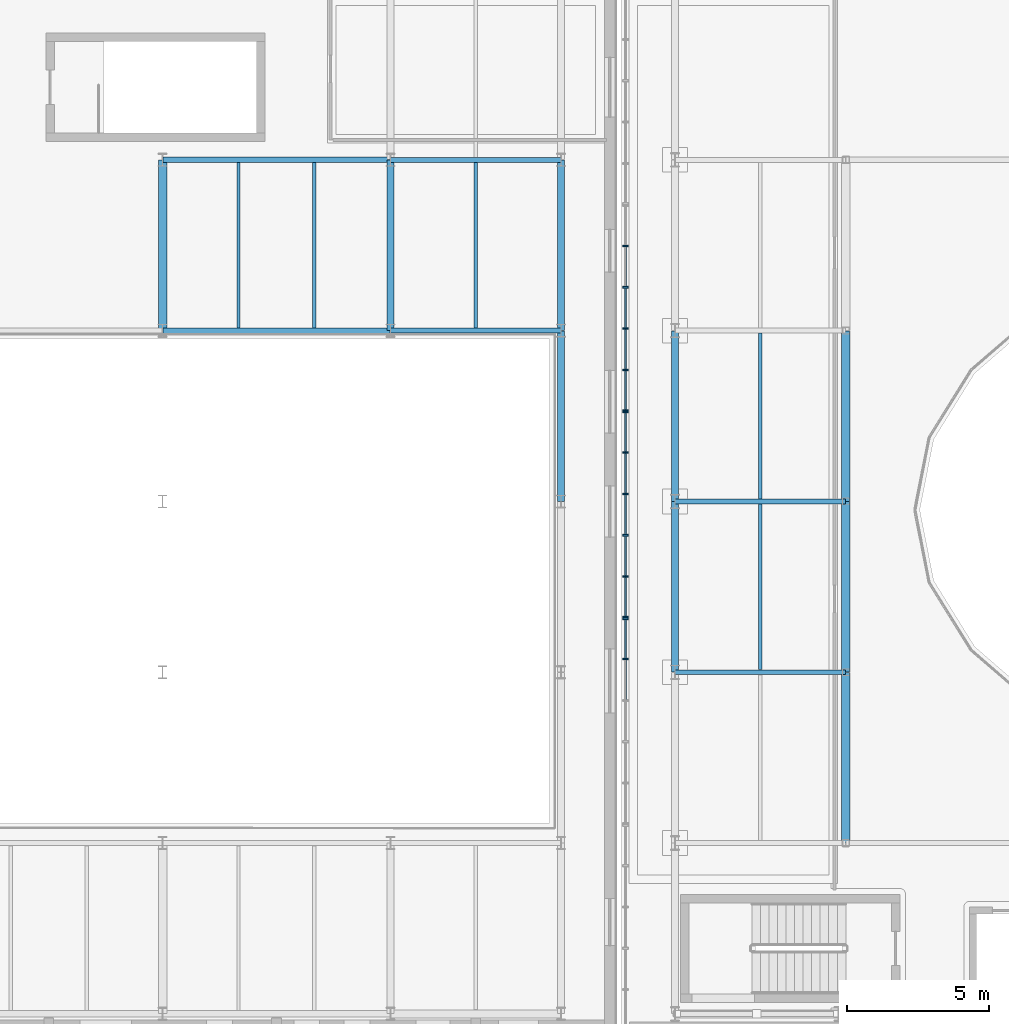
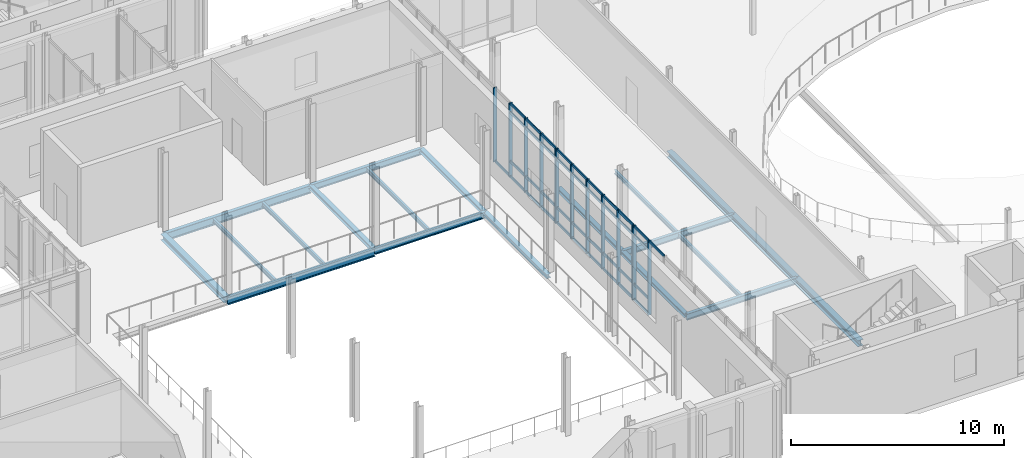
# One storey, part 18 of 100: 51 members, 20 beams, 3 elements without a shape of their own.
"""IFC4 building model written with IfcOpenShell, lengths in metres."""

import ifcopenshell
import ifcopenshell.guid

model = None  # the IFC model being written
_history = None  # IfcOwnerHistory: only IFC2X3 demands one
_inside = {}  # id of a spatial element -> (the spatial element, [elements in it])
_under = {}  # id of a project, library or spatial element -> (it, [spatial elements below it])
_declared = {}  # id of a project -> (the project, [libraries it declares])
_typed = {}  # id of a type object -> (the type object, [elements of that type])
_made_of = {}  # id of a material, layer set ... -> (it, [elements and type objects made of it])


def new_model(schema):
    """Start an empty IFC model of exactly this schema.

    Asked for "IFC4X3", IfcOpenShell would pick the latest addendum, in which some entities
    have other attributes; the version numbers below select the first issue.
    IFC2X3 requires an IfcOwnerHistory on every rooted entity: one is made here for all.
    """
    global model, _history
    if schema == "IFC4X3":
        model = ifcopenshell.file(schema_version=(4, 3, 0, 0))
    else:
        model = ifcopenshell.file(schema=schema)
    _inside.clear()
    _under.clear()
    _declared.clear()
    _typed.clear()
    _made_of.clear()
    _history = None
    if model.schema == "IFC2X3":
        org = make("IfcOrganization", Name="unknown")
        user = make(
            "IfcPersonAndOrganization",
            ThePerson=make("IfcPerson", FamilyName="unknown"),
            TheOrganization=org,
        )
        app = make(
            "IfcApplication",
            ApplicationDeveloper=org,
            Version="unknown",
            ApplicationFullName="unknown",
            ApplicationIdentifier="unknown",
        )
        _history = make(
            "IfcOwnerHistory",
            OwningUser=user,
            OwningApplication=app,
            ChangeAction="ADDED",
            CreationDate=0,
        )
    return model


def make(cls, **values):
    """One entity of the class cls with the attributes given. An attribute that is None is left unset."""
    return model.create_entity(
        cls, **{name: value for name, value in values.items() if value is not None}
    )


def rooted(cls, **values):
    """An entity with a GlobalId (a new one), such as an element, a storey or a relation."""
    return make(cls, GlobalId=ifcopenshell.guid.new(), OwnerHistory=_history, **values)


def si_unit(unit_type, name, prefix=None):
    """IfcSIUnit, for example si_unit("LENGTHUNIT", "METRE", prefix="MILLI")."""
    return make("IfcSIUnit", UnitType=unit_type, Prefix=prefix, Name=name)


def assignment(units):
    """IfcUnitAssignment: the units of a project."""
    return None if units is None else make("IfcUnitAssignment", Units=units)


def point(xyz):
    """IfcCartesianPoint."""
    return None if xyz is None else make("IfcCartesianPoint", Coordinates=xyz)


def direction(xyz):
    """IfcDirection."""
    return None if xyz is None else make("IfcDirection", DirectionRatios=xyz)


def frame(location, z_axis=None, x_axis=None):
    """IfcAxis2Placement3D, a coordinate frame: its origin and axes. An axis left out is left unset."""
    return make(
        "IfcAxis2Placement3D",
        Location=point(location),
        Axis=direction(z_axis),
        RefDirection=direction(x_axis),
    )


def frame_2d(location, x_axis=None):
    """IfcAxis2Placement2D, a coordinate frame in the plane: its origin and x axis."""
    return make(
        "IfcAxis2Placement2D", Location=point(location), RefDirection=direction(x_axis)
    )


def origin():
    """The frame at (0, 0, 0) with its axes left unset."""
    return frame((0.0, 0.0, 0.0))


def origin_2d():
    """The frame at (0, 0) in the plane with its x axis left unset."""
    return frame_2d((0.0, 0.0))


def place(relative_to, where):
    """IfcLocalPlacement: puts the frame where relative to a parent placement (None: the world)."""
    return make(
        "IfcLocalPlacement", PlacementRelTo=relative_to, RelativePlacement=where
    )


def context(
    kind, dimensions, precision=None, world=None, true_north=None, identifier=None
):
    """IfcGeometricRepresentationContext, for example the 3D "Model" context."""
    return make(
        "IfcGeometricRepresentationContext",
        ContextIdentifier=identifier,
        ContextType=kind,
        CoordinateSpaceDimension=dimensions,
        Precision=precision,
        WorldCoordinateSystem=world,
        TrueNorth=true_north,
    )


def subcontext(parent, identifier, kind, view, scale=None):
    """IfcGeometricRepresentationSubContext, for example "Body" below "Model"."""
    return make(
        "IfcGeometricRepresentationSubContext",
        ContextIdentifier=identifier,
        ContextType=kind,
        ParentContext=parent,
        TargetScale=scale,
        TargetView=view,
    )


def project(units=None, contexts=None):
    """IfcProject with its units and contexts."""
    return rooted(
        "IfcProject",
        Name="project",
        RepresentationContexts=contexts,
        UnitsInContext=assignment(units),
    )


def spatial(cls, under=None, at=None, **own):
    """A site, building, storey or space (cls), placed at a placement, below another one or the project."""
    s = rooted(cls, ObjectPlacement=at, **own)
    if under is not None:
        _under.setdefault(under.id(), (under, []))[1].append(s)
    return s


def profile(cls, at=None, kind="AREA", **sizes):
    """A parametric profile (cls). Its sizes go by their IFC names, for example OverallWidth=200.0."""
    return make(cls, ProfileType=kind, Position=at, **sizes)


def rectangle(**sizes):
    """IfcRectangleProfileDef."""
    return profile("IfcRectangleProfileDef", **sizes)


def i_section(**sizes):
    """IfcIShapeProfileDef."""
    return profile("IfcIShapeProfileDef", **sizes)


def extrude(swept, where, along, depth):
    """IfcExtrudedAreaSolid: the profile swept, set in the frame where, extruded along a direction by depth."""
    return make(
        "IfcExtrudedAreaSolid",
        SweptArea=swept,
        Position=where,
        ExtrudedDirection=direction(along),
        Depth=depth,
    )


def shape(context_of_items, identifier, shape_type, items):
    """IfcShapeRepresentation: the items that make up one representation, for example the "Body"."""
    return make(
        "IfcShapeRepresentation",
        ContextOfItems=context_of_items,
        RepresentationIdentifier=identifier,
        RepresentationType=shape_type,
        Items=items,
    )


def material(Name=None, Category=None):
    """IfcMaterial."""
    return make("IfcMaterial", Name=Name, Category=Category)


def material_profile(
    of_material, cross_section, Name=None, Category=None, Priority=None
):
    """IfcMaterialProfile: a cross section and its material."""
    return make(
        "IfcMaterialProfile",
        Name=Name,
        Material=of_material,
        Profile=cross_section,
        Priority=Priority,
        Category=Category,
    )


def profile_set(profiles, Name=None, composite=None):
    """IfcMaterialProfileSet."""
    return make(
        "IfcMaterialProfileSet",
        Name=Name,
        MaterialProfiles=profiles,
        CompositeProfile=composite,
    )


def made_of(thing, what):
    """Note that an element or type object is made of a material, layer set ...; save() writes the relation."""
    if what is not None:
        _made_of.setdefault(what.id(), (what, []))[1].append(thing)
    return thing


def type_object(cls, material=None, **own):
    """A type object (cls), such as IfcWallType, which elements share."""
    return made_of(rooted(cls, **own), material)


def element(
    cls,
    number,
    at=None,
    inside=None,
    cuts=None,
    type_object=None,
    material=None,
    context=None,
    identifier="Body",
    shape_type=None,
    held_by="IfcProductDefinitionShape",
    body=None,
    shapes=None,
    **own,
):
    """One element of the class cls, such as IfcWall. Its Tag is "e" and its number.

    at: its placement. inside: the storey or other place that contains it. cuts: it is an
    opening in that element (IfcRelVoidsElement). A single representation is given by context,
    identifier, shape_type and body (its items); several are given by shapes. held_by: the class
    of the entity that holds the representations. save() writes the other relations.
    """
    e = rooted(cls, Tag="e%d" % number, ObjectPlacement=at, **own)
    if body is not None:
        shapes = [shape(context, identifier, shape_type, body)]
    if shapes is not None:
        e.Representation = make(held_by, Representations=shapes)
    if inside is not None:
        _inside.setdefault(inside.id(), (inside, []))[1].append(e)
    if cuts is not None:
        rooted(
            "IfcRelVoidsElement", RelatingBuildingElement=cuts, RelatedOpeningElement=e
        )
    if type_object is not None:
        _typed.setdefault(type_object.id(), (type_object, []))[1].append(e)
    return made_of(e, material)


def aggregate(whole, parts):
    """IfcRelAggregates: a whole, such as a stair, and the parts it consists of."""
    return rooted("IfcRelAggregates", RelatingObject=whole, RelatedObjects=parts)


def save(model, path):
    """Write the relations noted so far, then the file.

    IfcRelAggregates (storeys below a building ...), IfcRelContainedInSpatialStructure (elements
    in a storey), IfcRelDefinesByType, IfcRelAssociatesMaterial and IfcRelDeclares: one each for
    every whole, place, type object, material and project.
    """
    for whole, parts in _under.values():
        aggregate(whole, parts)
    for where, things in _inside.values():
        rooted(
            "IfcRelContainedInSpatialStructure",
            RelatedElements=things,
            RelatingStructure=where,
        )
    for kind, things in _typed.values():
        rooted("IfcRelDefinesByType", RelatedObjects=things, RelatingType=kind)
    for what, things in _made_of.values():
        rooted("IfcRelAssociatesMaterial", RelatedObjects=things, RelatingMaterial=what)
    for by, libraries in _declared.values():
        rooted("IfcRelDeclares", RelatingContext=by, RelatedDefinitions=libraries)
    model.write(path)


model = new_model("IFC4")

# Units and contexts
model_context = context("Model", 3, precision=1e-05, world=origin(), true_north=direction((0.0, 1.0)))
body_context = subcontext(model_context, "Body", "Model", "MODEL_VIEW")
ifc_project = project(units=[si_unit("LENGTHUNIT", "METRE"), si_unit("AREAUNIT", "SQUARE_METRE"), si_unit("VOLUMEUNIT", "CUBIC_METRE"), si_unit("PLANEANGLEUNIT", "RADIAN"), si_unit("MASSUNIT", "GRAM", prefix="KILO")], contexts=[model_context])

# Site, building, storey
site_placement = place(None, origin())
site = spatial("IfcSite", under=ifc_project, at=site_placement, CompositionType="ELEMENT")
building_placement = place(site_placement, origin())
building = spatial("IfcBuilding", under=site, at=building_placement, Name="Cymarion Research Institute", CompositionType="ELEMENT")
storey_placement = place(building_placement, frame((0.0, 0.0, 9.300048828125)))
storey = spatial("IfcBuildingStorey", under=building, at=storey_placement, Name="L02", CompositionType="ELEMENT", Elevation=9.300048828125)

# Curtain wall, members
ifc_material_1 = material(Name="Anodised aluminium unitised curtain wall with Low-E glazing", Category="aluminium")
curtain_wall_type = type_object("IfcCurtainWallType", Name="UNITISED CURTAIN WALL CW14 7260X4250", PredefinedType="NOTDEFINED", material=ifc_material_1)
curtain_wall_1_placement = place(storey_placement, origin())
curtain_wall_1 = element("IfcCurtainWall", 1, at=curtain_wall_1_placement, inside=storey, type_object=curtain_wall_type, Name="L02 V2 unitised curtain wall CW14 #89", PredefinedType="NOTDEFINED")
ifc_material_2 = material(Name="Anodised aluminium framing", Category="aluminium")
ifc_material_profile_1 = material_profile(ifc_material_2, rectangle(XDim=0.06005859375, YDim=0.179931640625, at=origin_2d()), Name="ALU MULLION 60x180")
ifc_profile_set_1 = profile_set([ifc_material_profile_1], Name="Anodised aluminium framing")
member_type_1 = type_object("IfcMemberType", Name="CURTAIN WALL MULLION ML01 60X180", PredefinedType="MULLION", material=ifc_profile_set_1)
member_1_placement = place(storey_placement, frame((54.860107421875, 32.472900390625, 0.0), z_axis=(0.0, 0.0, 1.0), x_axis=(0.0, -1.0, 0.0)))
member_1 = element("IfcMember", 2, at=member_1_placement, type_object=member_type_1, Name="CW14 mullion 2", PredefinedType="MULLION", context=body_context, shape_type="SweptSolid", body=[
    extrude(rectangle(XDim=0.06005859375, YDim=0.179931640625, at=origin_2d()), origin(), (0.0, 0.0, 1.0), 4.25),
])
member_2_placement = place(storey_placement, frame((54.860107421875, 31.021484375, 0.0), z_axis=(0.0, 0.0, 1.0), x_axis=(0.0, -1.0, 0.0)))
member_2 = element("IfcMember", 3, at=member_2_placement, type_object=member_type_1, Name="CW14 mullion 3", PredefinedType="MULLION", context=body_context, shape_type="SweptSolid", body=[
    extrude(rectangle(XDim=0.06005859375, YDim=0.179931640625, at=origin_2d()), origin(), (0.0, 0.0, 1.0), 4.25),
])
member_3_placement = place(storey_placement, frame((54.860107421875, 29.5703125, 0.0), z_axis=(0.0, 0.0, 1.0), x_axis=(0.0, -1.0, 0.0)))
member_3 = element("IfcMember", 4, at=member_3_placement, type_object=member_type_1, Name="CW14 mullion 4", PredefinedType="MULLION", context=body_context, shape_type="SweptSolid", body=[
    extrude(rectangle(XDim=0.06005859375, YDim=0.179931640625, at=origin_2d()), origin(), (0.0, 0.0, 1.0), 4.25),
])
member_4_placement = place(storey_placement, frame((54.860107421875, 28.119140625, 0.0), z_axis=(0.0, 0.0, 1.0), x_axis=(0.0, -1.0, 0.0)))
member_4 = element("IfcMember", 5, at=member_4_placement, type_object=member_type_1, Name="CW14 mullion 5", PredefinedType="MULLION", context=body_context, shape_type="SweptSolid", body=[
    extrude(rectangle(XDim=0.06005859375, YDim=0.179931640625, at=origin_2d()), origin(), (0.0, 0.0, 1.0), 4.25),
])
member_5_placement = place(storey_placement, frame((54.860107421875, 26.697998046875, 0.0), z_axis=(0.0, 0.0, 1.0), x_axis=(0.0, -1.0, 0.0)))
member_5 = element("IfcMember", 6, at=member_5_placement, type_object=member_type_1, Name="CW14 mullion 6", PredefinedType="MULLION", context=body_context, shape_type="SweptSolid", body=[
    extrude(rectangle(XDim=0.06005859375, YDim=0.179931640625, at=origin_2d()), origin(), (0.0, 0.0, 1.0), 4.25),
])

curtain_wall_2_placement = place(storey_placement, origin())
curtain_wall_2 = element("IfcCurtainWall", 7, at=curtain_wall_2_placement, inside=storey, type_object=curtain_wall_type, Name="L02 V2 unitised curtain wall CW14 #90", PredefinedType="NOTDEFINED")
member_6_placement = place(storey_placement, frame((54.860107421875, 26.637939453125, 0.0), z_axis=(0.0, 0.0, 1.0), x_axis=(0.0, -1.0, 0.0)))
member_6 = element("IfcMember", 8, at=member_6_placement, type_object=member_type_1, Name="CW14 mullion 1", PredefinedType="MULLION", context=body_context, shape_type="SweptSolid", body=[
    extrude(rectangle(XDim=0.06005859375, YDim=0.179931640625, at=origin_2d()), origin(), (0.0, 0.0, 1.0), 4.25),
])
member_7_placement = place(storey_placement, frame((54.860107421875, 25.216796875, 0.0), z_axis=(0.0, 0.0, 1.0), x_axis=(0.0, -1.0, 0.0)))
member_7 = element("IfcMember", 9, at=member_7_placement, type_object=member_type_1, Name="CW14 mullion 2", PredefinedType="MULLION", context=body_context, shape_type="SweptSolid", body=[
    extrude(rectangle(XDim=0.06005859375, YDim=0.179931640625, at=origin_2d()), origin(), (0.0, 0.0, 1.0), 4.25),
])
member_8_placement = place(storey_placement, frame((54.860107421875, 23.765625, 0.0), z_axis=(0.0, 0.0, 1.0), x_axis=(0.0, -1.0, 0.0)))
member_8 = element("IfcMember", 10, at=member_8_placement, type_object=member_type_1, Name="CW14 mullion 3", PredefinedType="MULLION", context=body_context, shape_type="SweptSolid", body=[
    extrude(rectangle(XDim=0.06005859375, YDim=0.179931640625, at=origin_2d()), origin(), (0.0, 0.0, 1.0), 4.25),
])
member_9_placement = place(storey_placement, frame((54.860107421875, 22.314453125, 0.0), z_axis=(0.0, 0.0, 1.0), x_axis=(0.0, -1.0, 0.0)))
member_9 = element("IfcMember", 11, at=member_9_placement, type_object=member_type_1, Name="CW14 mullion 4", PredefinedType="MULLION", context=body_context, shape_type="SweptSolid", body=[
    extrude(rectangle(XDim=0.06005859375, YDim=0.179931640625, at=origin_2d()), origin(), (0.0, 0.0, 1.0), 4.25),
])
member_10_placement = place(storey_placement, frame((54.860107421875, 20.86328125, 0.0), z_axis=(0.0, 0.0, 1.0), x_axis=(0.0, -1.0, 0.0)))
member_10 = element("IfcMember", 12, at=member_10_placement, type_object=member_type_1, Name="CW14 mullion 5", PredefinedType="MULLION", context=body_context, shape_type="SweptSolid", body=[
    extrude(rectangle(XDim=0.06005859375, YDim=0.179931640625, at=origin_2d()), origin(), (0.0, 0.0, 1.0), 4.25),
])
member_11_placement = place(storey_placement, frame((54.860107421875, 19.44189453125, 0.0), z_axis=(0.0, 0.0, 1.0), x_axis=(0.0, -1.0, 0.0)))
member_11 = element("IfcMember", 13, at=member_11_placement, type_object=member_type_1, Name="CW14 mullion 6", PredefinedType="MULLION", context=body_context, shape_type="SweptSolid", body=[
    extrude(rectangle(XDim=0.06005859375, YDim=0.179931640625, at=origin_2d()), origin(), (0.0, 0.0, 1.0), 4.25),
])

curtain_wall_3_placement = place(storey_placement, origin())
curtain_wall_3 = element("IfcCurtainWall", 14, at=curtain_wall_3_placement, inside=storey, type_object=curtain_wall_type, Name="L02 V2 unitised curtain wall CW14 #91", PredefinedType="NOTDEFINED")
member_12_placement = place(storey_placement, frame((54.860107421875, 19.382080078125, 0.0), z_axis=(0.0, 0.0, 1.0), x_axis=(0.0, -1.0, 0.0)))
member_12 = element("IfcMember", 15, at=member_12_placement, type_object=member_type_1, Name="CW14 mullion 1", PredefinedType="MULLION", context=body_context, shape_type="SweptSolid", body=[
    extrude(rectangle(XDim=0.06005859375, YDim=0.179931640625, at=origin_2d()), origin(), (0.0, 0.0, 1.0), 4.25),
])
member_13_placement = place(storey_placement, frame((54.860107421875, 17.960693359375, 0.0), z_axis=(0.0, 0.0, 1.0), x_axis=(0.0, -1.0, 0.0)))
member_13 = element("IfcMember", 16, at=member_13_placement, type_object=member_type_1, Name="CW14 mullion 2", PredefinedType="MULLION", context=body_context, shape_type="SweptSolid", body=[
    extrude(rectangle(XDim=0.06005859375, YDim=0.179931640625, at=origin_2d()), origin(), (0.0, 0.0, 1.0), 4.25),
])

# Member
ifc_material_profile_2 = material_profile(ifc_material_2, rectangle(XDim=0.06005859375, YDim=0.14990234375, at=origin_2d()), Name="ALU TRANSOM 60x150")
ifc_profile_set_2 = profile_set([ifc_material_profile_2], Name="Anodised aluminium framing")
member_type_2 = type_object("IfcMemberType", Name="CURTAIN WALL TRANSOM TR01 60X150", PredefinedType="USERDEFINED", material=ifc_profile_set_2)
member_14_placement = place(storey_placement, frame((54.860107421875, 32.44287109375, 0.030029296875), z_axis=(0.0, -1.0, 0.0), x_axis=(1.0, 0.0, 0.0)))
member_14 = element("IfcMember", 17, at=member_14_placement, type_object=member_type_2, Name="CW14 transom 2.1", ObjectType="TRANSOM", PredefinedType="USERDEFINED", context=body_context, shape_type="SweptSolid", body=[
    extrude(rectangle(XDim=0.06005859375, YDim=0.14990234375, at=origin_2d()), origin(), (0.0, 0.0, 1.0), 1.391357421875),
])

member_15_placement = place(storey_placement, frame((54.860107421875, 30.99169921875, 0.030029296875), z_axis=(0.0, -1.0, 0.0), x_axis=(1.0, 0.0, 0.0)))
member_15 = element("IfcMember", 18, at=member_15_placement, type_object=member_type_2, Name="CW14 transom 3.1", ObjectType="TRANSOM", PredefinedType="USERDEFINED", context=body_context, shape_type="SweptSolid", body=[
    extrude(rectangle(XDim=0.06005859375, YDim=0.14990234375, at=origin_2d()), origin(), (0.0, 0.0, 1.0), 1.391357421875),
])

member_16_placement = place(storey_placement, frame((54.860107421875, 30.99169921875, 0.89990234375), z_axis=(0.0, -1.0, 0.0), x_axis=(1.0, 0.0, 0.0)))
member_16 = element("IfcMember", 19, at=member_16_placement, type_object=member_type_2, Name="CW14 transom 3.2", ObjectType="TRANSOM", PredefinedType="USERDEFINED", context=body_context, shape_type="SweptSolid", body=[
    extrude(rectangle(XDim=0.06005859375, YDim=0.14990234375, at=origin_2d()), origin(), (0.0, 0.0, 1.0), 1.391357421875),
])

member_17_placement = place(storey_placement, frame((54.860107421875, 30.99169921875, 3.699951171875), z_axis=(0.0, -1.0, 0.0), x_axis=(1.0, 0.0, 0.0)))
member_17 = element("IfcMember", 20, at=member_17_placement, type_object=member_type_2, Name="CW14 transom 3.3", ObjectType="TRANSOM", PredefinedType="USERDEFINED", context=body_context, shape_type="SweptSolid", body=[
    extrude(rectangle(XDim=0.06005859375, YDim=0.14990234375, at=origin_2d()), origin(), (0.0, 0.0, 1.0), 1.391357421875),
])

member_18_placement = place(storey_placement, frame((54.860107421875, 30.99169921875, 4.219970703125), z_axis=(0.0, -1.0, 0.0), x_axis=(1.0, 0.0, 0.0)))
member_18 = element("IfcMember", 21, at=member_18_placement, type_object=member_type_2, Name="CW14 transom 3.4", ObjectType="TRANSOM", PredefinedType="USERDEFINED", context=body_context, shape_type="SweptSolid", body=[
    extrude(rectangle(XDim=0.06005859375, YDim=0.14990234375, at=origin_2d()), origin(), (0.0, 0.0, 1.0), 1.391357421875),
])

member_19_placement = place(storey_placement, frame((54.860107421875, 29.540283203125, 0.030029296875), z_axis=(0.0, -1.0, 0.0), x_axis=(1.0, 0.0, 0.0)))
member_19 = element("IfcMember", 22, at=member_19_placement, type_object=member_type_2, Name="CW14 transom 4.1", ObjectType="TRANSOM", PredefinedType="USERDEFINED", context=body_context, shape_type="SweptSolid", body=[
    extrude(rectangle(XDim=0.06005859375, YDim=0.14990234375, at=origin_2d()), origin(), (0.0, 0.0, 1.0), 1.39111328125),
])

member_20_placement = place(storey_placement, frame((54.860107421875, 29.540283203125, 0.89990234375), z_axis=(0.0, -1.0, 0.0), x_axis=(1.0, 0.0, 0.0)))
member_20 = element("IfcMember", 23, at=member_20_placement, type_object=member_type_2, Name="CW14 transom 4.2", ObjectType="TRANSOM", PredefinedType="USERDEFINED", context=body_context, shape_type="SweptSolid", body=[
    extrude(rectangle(XDim=0.06005859375, YDim=0.14990234375, at=origin_2d()), origin(), (0.0, 0.0, 1.0), 1.39111328125),
])

member_21_placement = place(storey_placement, frame((54.860107421875, 29.540283203125, 3.699951171875), z_axis=(0.0, -1.0, 0.0), x_axis=(1.0, 0.0, 0.0)))
member_21 = element("IfcMember", 24, at=member_21_placement, type_object=member_type_2, Name="CW14 transom 4.3", ObjectType="TRANSOM", PredefinedType="USERDEFINED", context=body_context, shape_type="SweptSolid", body=[
    extrude(rectangle(XDim=0.06005859375, YDim=0.14990234375, at=origin_2d()), origin(), (0.0, 0.0, 1.0), 1.39111328125),
])

member_22_placement = place(storey_placement, frame((54.860107421875, 29.540283203125, 4.219970703125), z_axis=(0.0, -1.0, 0.0), x_axis=(1.0, 0.0, 0.0)))
member_22 = element("IfcMember", 25, at=member_22_placement, type_object=member_type_2, Name="CW14 transom 4.4", ObjectType="TRANSOM", PredefinedType="USERDEFINED", context=body_context, shape_type="SweptSolid", body=[
    extrude(rectangle(XDim=0.06005859375, YDim=0.14990234375, at=origin_2d()), origin(), (0.0, 0.0, 1.0), 1.39111328125),
])

member_23_placement = place(storey_placement, frame((54.860107421875, 28.089111328125, 0.030029296875), z_axis=(0.0, -1.0, 0.0), x_axis=(1.0, 0.0, 0.0)))
member_23 = element("IfcMember", 26, at=member_23_placement, type_object=member_type_2, Name="CW14 transom 5.1", ObjectType="TRANSOM", PredefinedType="USERDEFINED", context=body_context, shape_type="SweptSolid", body=[
    extrude(rectangle(XDim=0.06005859375, YDim=0.14990234375, at=origin_2d()), origin(), (0.0, 0.0, 1.0), 1.361083984375),
])

member_24_placement = place(storey_placement, frame((54.860107421875, 28.089111328125, 0.89990234375), z_axis=(0.0, -1.0, 0.0), x_axis=(1.0, 0.0, 0.0)))
member_24 = element("IfcMember", 27, at=member_24_placement, type_object=member_type_2, Name="CW14 transom 5.2", ObjectType="TRANSOM", PredefinedType="USERDEFINED", context=body_context, shape_type="SweptSolid", body=[
    extrude(rectangle(XDim=0.06005859375, YDim=0.14990234375, at=origin_2d()), origin(), (0.0, 0.0, 1.0), 1.361083984375),
])

member_25_placement = place(storey_placement, frame((54.860107421875, 28.089111328125, 3.699951171875), z_axis=(0.0, -1.0, 0.0), x_axis=(1.0, 0.0, 0.0)))
member_25 = element("IfcMember", 28, at=member_25_placement, type_object=member_type_2, Name="CW14 transom 5.3", ObjectType="TRANSOM", PredefinedType="USERDEFINED", context=body_context, shape_type="SweptSolid", body=[
    extrude(rectangle(XDim=0.06005859375, YDim=0.14990234375, at=origin_2d()), origin(), (0.0, 0.0, 1.0), 1.361083984375),
])

member_26_placement = place(storey_placement, frame((54.860107421875, 28.089111328125, 4.219970703125), z_axis=(0.0, -1.0, 0.0), x_axis=(1.0, 0.0, 0.0)))
member_26 = element("IfcMember", 29, at=member_26_placement, type_object=member_type_2, Name="CW14 transom 5.4", ObjectType="TRANSOM", PredefinedType="USERDEFINED", context=body_context, shape_type="SweptSolid", body=[
    extrude(rectangle(XDim=0.06005859375, YDim=0.14990234375, at=origin_2d()), origin(), (0.0, 0.0, 1.0), 1.361083984375),
])

aggregate(curtain_wall_1, [member_1, member_2, member_3, member_4, member_5, member_14, member_15, member_16, member_17, member_18, member_19, member_20, member_21, member_22, member_23, member_24, member_25, member_26])

member_27_placement = place(storey_placement, frame((54.860107421875, 26.60791015625, 0.030029296875), z_axis=(0.0, -1.0, 0.0), x_axis=(1.0, 0.0, 0.0)))
member_27 = element("IfcMember", 30, at=member_27_placement, type_object=member_type_2, Name="CW14 transom 1.1", ObjectType="TRANSOM", PredefinedType="USERDEFINED", context=body_context, shape_type="SweptSolid", body=[
    extrude(rectangle(XDim=0.06005859375, YDim=0.14990234375, at=origin_2d()), origin(), (0.0, 0.0, 1.0), 1.361083984375),
])

member_28_placement = place(storey_placement, frame((54.860107421875, 26.60791015625, 0.89990234375), z_axis=(0.0, -1.0, 0.0), x_axis=(1.0, 0.0, 0.0)))
member_28 = element("IfcMember", 31, at=member_28_placement, type_object=member_type_2, Name="CW14 transom 1.2", ObjectType="TRANSOM", PredefinedType="USERDEFINED", context=body_context, shape_type="SweptSolid", body=[
    extrude(rectangle(XDim=0.06005859375, YDim=0.14990234375, at=origin_2d()), origin(), (0.0, 0.0, 1.0), 1.361083984375),
])

member_29_placement = place(storey_placement, frame((54.860107421875, 26.60791015625, 3.699951171875), z_axis=(0.0, -1.0, 0.0), x_axis=(1.0, 0.0, 0.0)))
member_29 = element("IfcMember", 32, at=member_29_placement, type_object=member_type_2, Name="CW14 transom 1.3", ObjectType="TRANSOM", PredefinedType="USERDEFINED", context=body_context, shape_type="SweptSolid", body=[
    extrude(rectangle(XDim=0.06005859375, YDim=0.14990234375, at=origin_2d()), origin(), (0.0, 0.0, 1.0), 1.361083984375),
])

member_30_placement = place(storey_placement, frame((54.860107421875, 26.60791015625, 4.219970703125), z_axis=(0.0, -1.0, 0.0), x_axis=(1.0, 0.0, 0.0)))
member_30 = element("IfcMember", 33, at=member_30_placement, type_object=member_type_2, Name="CW14 transom 1.4", ObjectType="TRANSOM", PredefinedType="USERDEFINED", context=body_context, shape_type="SweptSolid", body=[
    extrude(rectangle(XDim=0.06005859375, YDim=0.14990234375, at=origin_2d()), origin(), (0.0, 0.0, 1.0), 1.361083984375),
])

member_31_placement = place(storey_placement, frame((54.860107421875, 25.186767578125, 0.030029296875), z_axis=(0.0, -1.0, 0.0), x_axis=(1.0, 0.0, 0.0)))
member_31 = element("IfcMember", 34, at=member_31_placement, type_object=member_type_2, Name="CW14 transom 2.1", ObjectType="TRANSOM", PredefinedType="USERDEFINED", context=body_context, shape_type="SweptSolid", body=[
    extrude(rectangle(XDim=0.06005859375, YDim=0.14990234375, at=origin_2d()), origin(), (0.0, 0.0, 1.0), 1.39111328125),
])

member_32_placement = place(storey_placement, frame((54.860107421875, 25.186767578125, 0.89990234375), z_axis=(0.0, -1.0, 0.0), x_axis=(1.0, 0.0, 0.0)))
member_32 = element("IfcMember", 35, at=member_32_placement, type_object=member_type_2, Name="CW14 transom 2.2", ObjectType="TRANSOM", PredefinedType="USERDEFINED", context=body_context, shape_type="SweptSolid", body=[
    extrude(rectangle(XDim=0.06005859375, YDim=0.14990234375, at=origin_2d()), origin(), (0.0, 0.0, 1.0), 1.39111328125),
])

member_33_placement = place(storey_placement, frame((54.860107421875, 25.186767578125, 3.699951171875), z_axis=(0.0, -1.0, 0.0), x_axis=(1.0, 0.0, 0.0)))
member_33 = element("IfcMember", 36, at=member_33_placement, type_object=member_type_2, Name="CW14 transom 2.3", ObjectType="TRANSOM", PredefinedType="USERDEFINED", context=body_context, shape_type="SweptSolid", body=[
    extrude(rectangle(XDim=0.06005859375, YDim=0.14990234375, at=origin_2d()), origin(), (0.0, 0.0, 1.0), 1.39111328125),
])

member_34_placement = place(storey_placement, frame((54.860107421875, 25.186767578125, 4.219970703125), z_axis=(0.0, -1.0, 0.0), x_axis=(1.0, 0.0, 0.0)))
member_34 = element("IfcMember", 37, at=member_34_placement, type_object=member_type_2, Name="CW14 transom 2.4", ObjectType="TRANSOM", PredefinedType="USERDEFINED", context=body_context, shape_type="SweptSolid", body=[
    extrude(rectangle(XDim=0.06005859375, YDim=0.14990234375, at=origin_2d()), origin(), (0.0, 0.0, 1.0), 1.39111328125),
])

member_35_placement = place(storey_placement, frame((54.860107421875, 23.735595703125, 0.030029296875), z_axis=(0.0, -1.0, 0.0), x_axis=(1.0, 0.0, 0.0)))
member_35 = element("IfcMember", 38, at=member_35_placement, type_object=member_type_2, Name="CW14 transom 3.1", ObjectType="TRANSOM", PredefinedType="USERDEFINED", context=body_context, shape_type="SweptSolid", body=[
    extrude(rectangle(XDim=0.06005859375, YDim=0.14990234375, at=origin_2d()), origin(), (0.0, 0.0, 1.0), 1.39111328125),
])

member_36_placement = place(storey_placement, frame((54.860107421875, 23.735595703125, 0.89990234375), z_axis=(0.0, -1.0, 0.0), x_axis=(1.0, 0.0, 0.0)))
member_36 = element("IfcMember", 39, at=member_36_placement, type_object=member_type_2, Name="CW14 transom 3.2", ObjectType="TRANSOM", PredefinedType="USERDEFINED", context=body_context, shape_type="SweptSolid", body=[
    extrude(rectangle(XDim=0.06005859375, YDim=0.14990234375, at=origin_2d()), origin(), (0.0, 0.0, 1.0), 1.39111328125),
])

member_37_placement = place(storey_placement, frame((54.860107421875, 23.735595703125, 3.699951171875), z_axis=(0.0, -1.0, 0.0), x_axis=(1.0, 0.0, 0.0)))
member_37 = element("IfcMember", 40, at=member_37_placement, type_object=member_type_2, Name="CW14 transom 3.3", ObjectType="TRANSOM", PredefinedType="USERDEFINED", context=body_context, shape_type="SweptSolid", body=[
    extrude(rectangle(XDim=0.06005859375, YDim=0.14990234375, at=origin_2d()), origin(), (0.0, 0.0, 1.0), 1.39111328125),
])

member_38_placement = place(storey_placement, frame((54.860107421875, 23.735595703125, 4.219970703125), z_axis=(0.0, -1.0, 0.0), x_axis=(1.0, 0.0, 0.0)))
member_38 = element("IfcMember", 41, at=member_38_placement, type_object=member_type_2, Name="CW14 transom 3.4", ObjectType="TRANSOM", PredefinedType="USERDEFINED", context=body_context, shape_type="SweptSolid", body=[
    extrude(rectangle(XDim=0.06005859375, YDim=0.14990234375, at=origin_2d()), origin(), (0.0, 0.0, 1.0), 1.39111328125),
])

member_39_placement = place(storey_placement, frame((54.860107421875, 22.284423828125, 0.030029296875), z_axis=(0.0, -1.0, 0.0), x_axis=(1.0, 0.0, 0.0)))
member_39 = element("IfcMember", 42, at=member_39_placement, type_object=member_type_2, Name="CW14 transom 4.1", ObjectType="TRANSOM", PredefinedType="USERDEFINED", context=body_context, shape_type="SweptSolid", body=[
    extrude(rectangle(XDim=0.06005859375, YDim=0.14990234375, at=origin_2d()), origin(), (0.0, 0.0, 1.0), 1.39111328125),
])

member_40_placement = place(storey_placement, frame((54.860107421875, 22.284423828125, 0.89990234375), z_axis=(0.0, -1.0, 0.0), x_axis=(1.0, 0.0, 0.0)))
member_40 = element("IfcMember", 43, at=member_40_placement, type_object=member_type_2, Name="CW14 transom 4.2", ObjectType="TRANSOM", PredefinedType="USERDEFINED", context=body_context, shape_type="SweptSolid", body=[
    extrude(rectangle(XDim=0.06005859375, YDim=0.14990234375, at=origin_2d()), origin(), (0.0, 0.0, 1.0), 1.39111328125),
])

member_41_placement = place(storey_placement, frame((54.860107421875, 22.284423828125, 3.699951171875), z_axis=(0.0, -1.0, 0.0), x_axis=(1.0, 0.0, 0.0)))
member_41 = element("IfcMember", 44, at=member_41_placement, type_object=member_type_2, Name="CW14 transom 4.3", ObjectType="TRANSOM", PredefinedType="USERDEFINED", context=body_context, shape_type="SweptSolid", body=[
    extrude(rectangle(XDim=0.06005859375, YDim=0.14990234375, at=origin_2d()), origin(), (0.0, 0.0, 1.0), 1.39111328125),
])

member_42_placement = place(storey_placement, frame((54.860107421875, 22.284423828125, 4.219970703125), z_axis=(0.0, -1.0, 0.0), x_axis=(1.0, 0.0, 0.0)))
member_42 = element("IfcMember", 45, at=member_42_placement, type_object=member_type_2, Name="CW14 transom 4.4", ObjectType="TRANSOM", PredefinedType="USERDEFINED", context=body_context, shape_type="SweptSolid", body=[
    extrude(rectangle(XDim=0.06005859375, YDim=0.14990234375, at=origin_2d()), origin(), (0.0, 0.0, 1.0), 1.39111328125),
])

member_43_placement = place(storey_placement, frame((54.860107421875, 20.833251953125, 0.030029296875), z_axis=(0.0, -1.0, 0.0), x_axis=(1.0, 0.0, 0.0)))
member_43 = element("IfcMember", 46, at=member_43_placement, type_object=member_type_2, Name="CW14 transom 5.1", ObjectType="TRANSOM", PredefinedType="USERDEFINED", context=body_context, shape_type="SweptSolid", body=[
    extrude(rectangle(XDim=0.06005859375, YDim=0.14990234375, at=origin_2d()), origin(), (0.0, 0.0, 1.0), 1.361328125),
])

member_44_placement = place(storey_placement, frame((54.860107421875, 20.833251953125, 0.89990234375), z_axis=(0.0, -1.0, 0.0), x_axis=(1.0, 0.0, 0.0)))
member_44 = element("IfcMember", 47, at=member_44_placement, type_object=member_type_2, Name="CW14 transom 5.2", ObjectType="TRANSOM", PredefinedType="USERDEFINED", context=body_context, shape_type="SweptSolid", body=[
    extrude(rectangle(XDim=0.06005859375, YDim=0.14990234375, at=origin_2d()), origin(), (0.0, 0.0, 1.0), 1.361328125),
])

member_45_placement = place(storey_placement, frame((54.860107421875, 20.833251953125, 3.699951171875), z_axis=(0.0, -1.0, 0.0), x_axis=(1.0, 0.0, 0.0)))
member_45 = element("IfcMember", 48, at=member_45_placement, type_object=member_type_2, Name="CW14 transom 5.3", ObjectType="TRANSOM", PredefinedType="USERDEFINED", context=body_context, shape_type="SweptSolid", body=[
    extrude(rectangle(XDim=0.06005859375, YDim=0.14990234375, at=origin_2d()), origin(), (0.0, 0.0, 1.0), 1.361328125),
])

member_46_placement = place(storey_placement, frame((54.860107421875, 20.833251953125, 4.219970703125), z_axis=(0.0, -1.0, 0.0), x_axis=(1.0, 0.0, 0.0)))
member_46 = element("IfcMember", 49, at=member_46_placement, type_object=member_type_2, Name="CW14 transom 5.4", ObjectType="TRANSOM", PredefinedType="USERDEFINED", context=body_context, shape_type="SweptSolid", body=[
    extrude(rectangle(XDim=0.06005859375, YDim=0.14990234375, at=origin_2d()), origin(), (0.0, 0.0, 1.0), 1.361328125),
])

aggregate(curtain_wall_2, [member_6, member_7, member_8, member_9, member_10, member_11, member_27, member_28, member_29, member_30, member_31, member_32, member_33, member_34, member_35, member_36, member_37, member_38, member_39, member_40, member_41, member_42, member_43, member_44, member_45, member_46])

member_47_placement = place(storey_placement, frame((54.860107421875, 19.35205078125, 0.030029296875), z_axis=(0.0, -1.0, 0.0), x_axis=(1.0, 0.0, 0.0)))
member_47 = element("IfcMember", 50, at=member_47_placement, type_object=member_type_2, Name="CW14 transom 1.1", ObjectType="TRANSOM", PredefinedType="USERDEFINED", context=body_context, shape_type="SweptSolid", body=[
    extrude(rectangle(XDim=0.06005859375, YDim=0.14990234375, at=origin_2d()), origin(), (0.0, 0.0, 1.0), 1.361328125),
])

member_48_placement = place(storey_placement, frame((54.860107421875, 19.35205078125, 0.89990234375), z_axis=(0.0, -1.0, 0.0), x_axis=(1.0, 0.0, 0.0)))
member_48 = element("IfcMember", 51, at=member_48_placement, type_object=member_type_2, Name="CW14 transom 1.2", ObjectType="TRANSOM", PredefinedType="USERDEFINED", context=body_context, shape_type="SweptSolid", body=[
    extrude(rectangle(XDim=0.06005859375, YDim=0.14990234375, at=origin_2d()), origin(), (0.0, 0.0, 1.0), 1.361328125),
])

member_49_placement = place(storey_placement, frame((54.860107421875, 19.35205078125, 3.699951171875), z_axis=(0.0, -1.0, 0.0), x_axis=(1.0, 0.0, 0.0)))
member_49 = element("IfcMember", 52, at=member_49_placement, type_object=member_type_2, Name="CW14 transom 1.3", ObjectType="TRANSOM", PredefinedType="USERDEFINED", context=body_context, shape_type="SweptSolid", body=[
    extrude(rectangle(XDim=0.06005859375, YDim=0.14990234375, at=origin_2d()), origin(), (0.0, 0.0, 1.0), 1.361328125),
])

member_50_placement = place(storey_placement, frame((54.860107421875, 19.35205078125, 4.219970703125), z_axis=(0.0, -1.0, 0.0), x_axis=(1.0, 0.0, 0.0)))
member_50 = element("IfcMember", 53, at=member_50_placement, type_object=member_type_2, Name="CW14 transom 1.4", ObjectType="TRANSOM", PredefinedType="USERDEFINED", context=body_context, shape_type="SweptSolid", body=[
    extrude(rectangle(XDim=0.06005859375, YDim=0.14990234375, at=origin_2d()), origin(), (0.0, 0.0, 1.0), 1.361328125),
])

member_51_placement = place(storey_placement, frame((54.860107421875, 17.930908203125, 4.219970703125), z_axis=(0.0, -1.0, 0.0), x_axis=(1.0, 0.0, 0.0)))
member_51 = element("IfcMember", 54, at=member_51_placement, type_object=member_type_2, Name="CW14 transom 2.4", ObjectType="TRANSOM", PredefinedType="USERDEFINED", context=body_context, shape_type="SweptSolid", body=[
    extrude(rectangle(XDim=0.06005859375, YDim=0.14990234375, at=origin_2d()), origin(), (0.0, 0.0, 1.0), 1.391357421875),
])

aggregate(curtain_wall_3, [member_12, member_13, member_47, member_48, member_49, member_50, member_51])

# Beams
ifc_material_3 = material(Name="Steel S355", Category="steel")
ifc_material_profile_3 = material_profile(ifc_material_3, i_section(OverallWidth=0.18994140625, OverallDepth=0.449951171875, WebThickness=0.009521484375, FlangeThickness=0.0146484375, FilletRadius=0.02099609375, at=origin_2d()), Name="IPE 450")
ifc_profile_set_3 = profile_set([ifc_material_profile_3], Name="Steel S355")
beam_type_1 = type_object("IfcBeamType", Name="PRIMARY GIRDER BM04 IPE 450", PredefinedType="BEAM", material=ifc_profile_set_3)
for number, where, z_axis, x_axis, name in (
    (55, (38.60595703125, 29.5, -0.47509765625), (1.0, 0.0, 0.0), (0.0, 1.0, 0.0), "L02 V3 girder BM04 #962"),
    (56, (38.60595703125, 35.5, -0.47509765625), (1.0, 0.0, 0.0), (0.0, 1.0, 0.0), "L02 V3 girder BM04 #964"),
):
    element("IfcBeam", number, at=place(storey_placement, frame(where, z_axis=z_axis, x_axis=x_axis)), inside=storey, type_object=beam_type_1, Name=name, PredefinedType="BEAM", context=body_context, shape_type="SweptSolid", body=[
        extrude(i_section(OverallWidth=0.18994140625, OverallDepth=0.449951171875, WebThickness=0.009521484375, FlangeThickness=0.0146484375, FilletRadius=0.02099609375, at=origin_2d()), origin(), (0.0, 0.0, 1.0), 7.988037109375),
    ])
ifc_material_profile_4 = material_profile(ifc_material_3, i_section(OverallWidth=0.169921875, OverallDepth=0.360107421875, WebThickness=0.008056640625, FlangeThickness=0.0126953125, FilletRadius=0.01806640625, at=origin_2d()), Name="IPE 360")
ifc_profile_set_4 = profile_set([ifc_material_profile_4], Name="Steel S355")
beam_type_2 = type_object("IfcBeamType", Name="PRIMARY GIRDER BM06 IPE 360", PredefinedType="BEAM", material=ifc_profile_set_4)
for number, where, z_axis, x_axis, name in (
    (57, (56.60595703125, 17.5, -0.429931640625), (1.0, 0.0, 0.0), (0.0, 1.0, 0.0), "L02 V2 girder BM06 #887"),
    (58, (56.60595703125, 23.5, -0.429931640625), (1.0, 0.0, 0.0), (0.0, 1.0, 0.0), "L02 V2 girder BM06 #889"),
    (59, (46.60595703125, 29.5, -0.429931640625), (1.0, 0.0, 0.0), (0.0, 1.0, 0.0), "L02 V3 girder BM06 #963"),
    (60, (46.60595703125, 35.5, -0.429931640625), (1.0, 0.0, 0.0), (0.0, 1.0, 0.0), "L02 V3 girder BM06 #965"),
):
    element("IfcBeam", number, at=place(storey_placement, frame(where, z_axis=z_axis, x_axis=x_axis)), inside=storey, type_object=beam_type_2, Name=name, PredefinedType="BEAM", context=body_context, shape_type="SweptSolid", body=[
        extrude(i_section(OverallWidth=0.169921875, OverallDepth=0.360107421875, WebThickness=0.008056640625, FlangeThickness=0.0126953125, FilletRadius=0.01806640625, at=origin_2d()), origin(), (0.0, 0.0, 1.0), 5.988037109375),
    ])
ifc_material_profile_5 = material_profile(ifc_material_3, i_section(OverallWidth=0.300048828125, OverallDepth=0.35009765625, WebThickness=0.010009765625, FlangeThickness=0.017578125, FilletRadius=0.027099609375, at=origin_2d()), Name="HEA 360")
ifc_profile_set_5 = profile_set([ifc_material_profile_5], Name="Steel S355")
beam_type_3 = type_object("IfcBeamType", Name="PRIMARY GIRDER BM12 HEA 360", PredefinedType="BEAM", material=ifc_profile_set_5)
for number, where, z_axis, x_axis, name in (
    (61, (62.60009765625, 11.506103515625, -0.425048828125), (0.0, 1.0, 0.0), (-1.0, 0.0, 0.0), "L02 V2 girder BM12 #911"),
    (62, (62.60009765625, 17.506103515625, -0.425048828125), (0.0, 1.0, 0.0), (-1.0, 0.0, 0.0), "L02 V2 girder BM12 #912"),
    (63, (62.60009765625, 23.506103515625, -0.425048828125), (0.0, 1.0, 0.0), (-1.0, 0.0, 0.0), "L02 V2 girder BM12 #913"),
    (64, (38.60009765625, 29.506103515625, -0.425048828125), (0.0, 1.0, 0.0), (-1.0, 0.0, 0.0), "L02 V3 girder BM12 #986"),
):
    element("IfcBeam", number, at=place(storey_placement, frame(where, z_axis=z_axis, x_axis=x_axis)), inside=storey, type_object=beam_type_3, Name=name, PredefinedType="BEAM", context=body_context, shape_type="SweptSolid", body=[
        extrude(i_section(OverallWidth=0.300048828125, OverallDepth=0.35009765625, WebThickness=0.010009765625, FlangeThickness=0.017578125, FilletRadius=0.027099609375, at=origin_2d()), origin(), (0.0, 0.0, 1.0), 5.98779296875),
    ])
ifc_material_profile_6 = material_profile(ifc_material_3, i_section(OverallWidth=0.1201171875, OverallDepth=0.239990234375, WebThickness=0.006103515625, FlangeThickness=0.009765625, FilletRadius=0.014892578125, at=origin_2d()), Name="IPE 240")
ifc_profile_set_6 = profile_set([ifc_material_profile_6], Name="Steel S355")
beam_type_4 = type_object("IfcBeamType", Name="SECONDARY JOIST JS04 IPE 240", PredefinedType="JOIST", material=ifc_profile_set_6)
for number, where, z_axis, x_axis, name in (
    (65, (59.60009765625, 17.589111328125, -0.3701171875), (0.0, 1.0, 0.0), (-1.0, 0.0, 0.0), "L02 V2 secondary joist JS04 #933"),
    (66, (59.60009765625, 23.589111328125, -0.3701171875), (0.0, 1.0, 0.0), (-1.0, 0.0, 0.0), "L02 V2 secondary joist JS04 #936"),
):
    element("IfcBeam", number, at=place(storey_placement, frame(where, z_axis=z_axis, x_axis=x_axis)), inside=storey, type_object=beam_type_4, Name=name, PredefinedType="JOIST", context=body_context, shape_type="SweptSolid", body=[
        extrude(i_section(OverallWidth=0.1201171875, OverallDepth=0.239990234375, WebThickness=0.006103515625, FlangeThickness=0.009765625, FilletRadius=0.014892578125, at=origin_2d()), origin(), (0.0, 0.0, 1.0), 5.82177734375),
    ])
for number, where, z_axis, x_axis, name in (
    (67, (41.2666015625, 29.59912109375, -0.3701171875), (0.0, 1.0, 0.0), (-1.0, 0.0, 0.0), "L02 V3 secondary joist JS04 #1024"),
    (68, (43.933349609375, 29.59912109375, -0.3701171875), (0.0, 1.0, 0.0), (-1.0, 0.0, 0.0), "L02 V3 secondary joist JS04 #1025"),
):
    element("IfcBeam", number, at=place(storey_placement, frame(where, z_axis=z_axis, x_axis=x_axis)), inside=storey, type_object=beam_type_4, Name=name, PredefinedType="JOIST", context=body_context, shape_type="SweptSolid", body=[
        extrude(i_section(OverallWidth=0.1201171875, OverallDepth=0.239990234375, WebThickness=0.006103515625, FlangeThickness=0.009765625, FilletRadius=0.014892578125, at=origin_2d()), origin(), (0.0, 0.0, 1.0), 5.8017578125),
    ])
beam_placement = place(storey_placement, frame((49.60009765625, 29.589111328125, -0.3701171875), z_axis=(0.0, 1.0, 0.0), x_axis=(-1.0, 0.0, 0.0)))
element("IfcBeam", 69, at=beam_placement, inside=storey, type_object=beam_type_4, Name="L02 V3 secondary joist JS04 #1026", PredefinedType="JOIST", context=body_context, shape_type="SweptSolid", body=[
    extrude(i_section(OverallWidth=0.1201171875, OverallDepth=0.239990234375, WebThickness=0.006103515625, FlangeThickness=0.009765625, FilletRadius=0.014892578125, at=origin_2d()), origin(), (0.0, 0.0, 1.0), 5.82177734375),
])
ifc_material_profile_7 = material_profile(ifc_material_3, i_section(OverallWidth=0.239990234375, OverallDepth=0.22998046875, WebThickness=0.007568359375, FlangeThickness=0.011962890625, FilletRadius=0.02099609375, at=origin_2d()), Name="HEA 240")
ifc_profile_set_7 = profile_set([ifc_material_profile_7], Name="Steel S355")
beam_type_5 = type_object("IfcBeamType", Name="SPANDREL BEAM SPB03 HEA 240", PredefinedType="SPANDREL", material=ifc_profile_set_7)
for number, where, z_axis, x_axis, name in (
    (70, (56.60009765625, 17.506103515625, -0.364990234375), (0.0, 1.0, 0.0), (-1.0, 0.0, 0.0), "L02 V2 girder SPB03 #907"),
    (71, (56.60009765625, 23.506103515625, -0.364990234375), (0.0, 1.0, 0.0), (-1.0, 0.0, 0.0), "L02 V2 girder SPB03 #908"),
    (72, (46.60009765625, 29.506103515625, -0.364990234375), (0.0, 1.0, 0.0), (-1.0, 0.0, 0.0), "L02 V3 girder SPB03 #990"),
    (73, (52.60009765625, 23.506103515625, -0.364990234375), (0.0, 1.0, 0.0), (-1.0, 0.0, 0.0), "L02 V3 girder SPB03 #995"),
    (74, (52.60009765625, 29.506103515625, -0.364990234375), (0.0, 1.0, 0.0), (-1.0, 0.0, 0.0), "L02 V3 girder SPB03 #996"),
):
    element("IfcBeam", number, at=place(storey_placement, frame(where, z_axis=z_axis, x_axis=x_axis)), inside=storey, type_object=beam_type_5, Name=name, PredefinedType="SPANDREL", context=body_context, shape_type="SweptSolid", body=[
        extrude(i_section(OverallWidth=0.239990234375, OverallDepth=0.22998046875, WebThickness=0.007568359375, FlangeThickness=0.011962890625, FilletRadius=0.02099609375, at=origin_2d()), origin(), (0.0, 0.0, 1.0), 5.98779296875),
    ])

save(model, "model.ifc")
